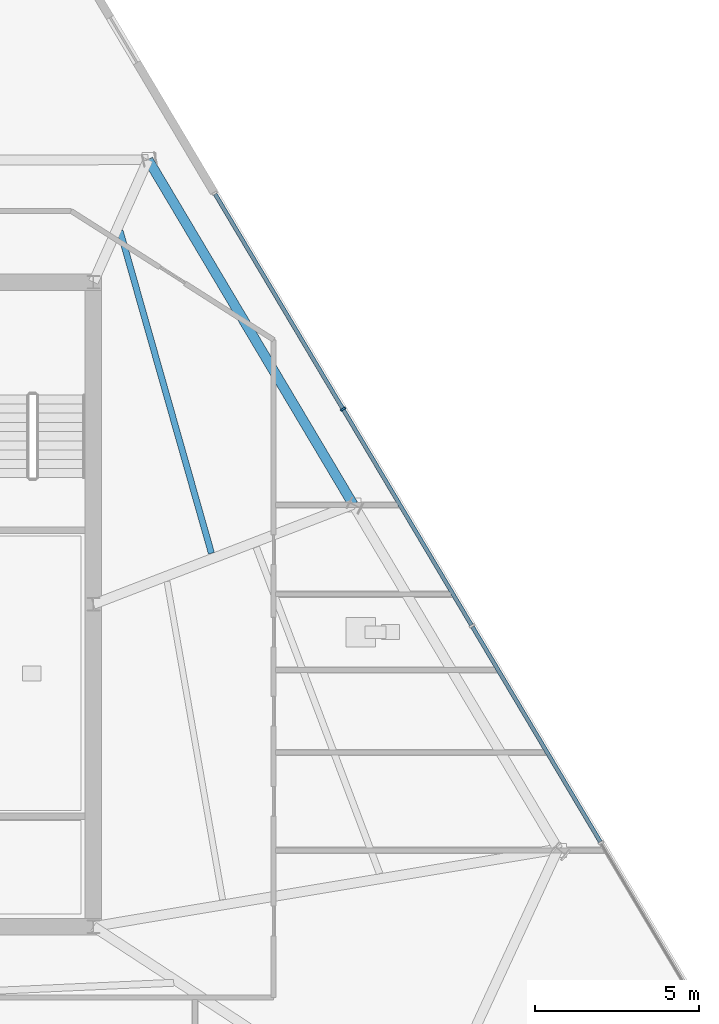
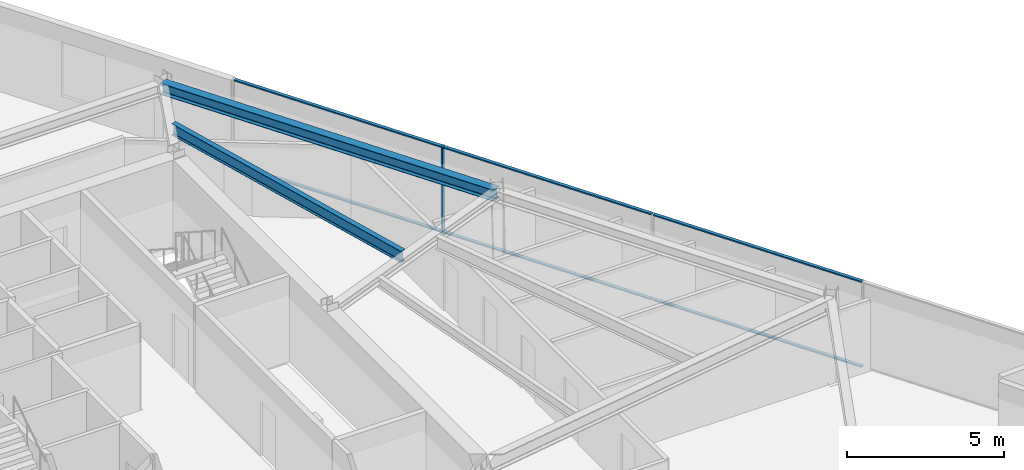
# One storey, part 6 of 16: 7 members, 2 beams, 1 element without a shape of its own.
"""IFC4 building model written with IfcOpenShell, lengths in metres."""

from ifc_helpers import new_model, si_unit, direction, frame, origin, origin_2d, place, context, subcontext, project, spatial, rectangle, i_section, extrude, material, material_profile, profile_set, type_object, element, aggregate, save


model = new_model("IFC4")

# Units and contexts
model_context = context("Model", 3, precision=1e-05, world=origin(), true_north=direction((0.0, 1.0)))
body_context = subcontext(model_context, "Body", "Model", "MODEL_VIEW")
ifc_project = project(units=[si_unit("LENGTHUNIT", "METRE"), si_unit("AREAUNIT", "SQUARE_METRE"), si_unit("VOLUMEUNIT", "CUBIC_METRE"), si_unit("PLANEANGLEUNIT", "RADIAN"), si_unit("MASSUNIT", "GRAM", prefix="KILO")], contexts=[model_context])

# Site, building, storey
site_placement = place(None, origin())
site = spatial("IfcSite", under=ifc_project, at=site_placement, CompositionType="ELEMENT")
building_placement = place(site_placement, origin())
building = spatial("IfcBuilding", under=site, at=building_placement, Name="Savorim Split Tower", CompositionType="ELEMENT")
storey_placement = place(building_placement, frame((0.0, 0.0, 156.60009765625)))
storey = spatial("IfcBuildingStorey", under=building, at=storey_placement, Name="L41", CompositionType="ELEMENT", Elevation=156.60009765625)

# Beams
ifc_material_1 = material(Name="Steel S355", Category="steel")
ifc_material_profile_1 = material_profile(ifc_material_1, i_section(OverallWidth=0.18994140625, OverallDepth=0.449951171875, WebThickness=0.009521484375, FlangeThickness=0.0146484375, FilletRadius=0.02099609375, at=origin_2d()), Name="IPE 450")
ifc_profile_set_1 = profile_set([ifc_material_profile_1], Name="Steel S355")
beam_type_1 = type_object("IfcBeamType", Name="BM-JST-IPE450", PredefinedType="JOIST", material=ifc_profile_set_1)
beam_1_placement = place(storey_placement, frame((11.2890625, 1.951904296875, 3.125), z_axis=(-0.272755934004, 0.962083260672, 0.0), x_axis=(-0.962083260672, -0.272755934004, 0.0)))
element("IfcBeam", 1, at=beam_1_placement, inside=storey, type_object=beam_type_1, Name="L41 Secondary Floor Joist JS-07", PredefinedType="JOIST", context=body_context, shape_type="SweptSolid", body=[
    extrude(i_section(OverallWidth=0.18994140625, OverallDepth=0.449951171875, WebThickness=0.009521484375, FlangeThickness=0.0146484375, FilletRadius=0.02099609375, at=origin_2d()), origin(), (0.0, 0.0, 1.0), 10.1923828125),
])
ifc_material_profile_2 = material_profile(ifc_material_1, i_section(OverallWidth=0.300048828125, OverallDepth=0.43994140625, WebThickness=0.011474609375, FlangeThickness=0.02099609375, FilletRadius=0.027099609375, at=origin_2d()), Name="HEA 450")
ifc_profile_set_2 = profile_set([ifc_material_profile_2], Name="Steel S355")
beam_type_2 = type_object("IfcBeamType", Name="BM-SPN-HEA450", PredefinedType="SPANDREL", material=ifc_profile_set_2)
beam_2_placement = place(storey_placement, frame((15.596923828125, 3.43896484375, 3.1298828125), z_axis=(-0.511085386535, 0.859529945767, 0.0), x_axis=(-0.859529945767, -0.511085386535, 0.0)))
element("IfcBeam", 2, at=beam_2_placement, inside=storey, type_object=beam_type_2, Name="L41 Perimeter Spandrel Beam 6", PredefinedType="SPANDREL", context=body_context, shape_type="SweptSolid", body=[
    extrude(i_section(OverallWidth=0.300048828125, OverallDepth=0.43994140625, WebThickness=0.011474609375, FlangeThickness=0.02099609375, FilletRadius=0.027099609375, at=origin_2d()), origin(), (0.0, 0.0, 1.0), 12.195068359375),
])

# Curtain wall, members
ifc_material_2 = material(Name="Dark Ceramic-Fritted Insulated Glass", Category="glass")
curtain_wall_type = type_object("IfcCurtainWallType", Name="CW-TWR-FRIT-B", PredefinedType="NOTDEFINED", material=ifc_material_2)
curtain_wall_placement = place(storey_placement, origin())
curtain_wall = element("IfcCurtainWall", 3, at=curtain_wall_placement, inside=storey, type_object=curtain_wall_type, Name="L41 Curtain Wall CW-L41-EAST", PredefinedType="NOTDEFINED")
ifc_material_3 = material(Name="Charcoal Anodised Aluminium", Category="aluminium")
ifc_material_profile_3 = material_profile(ifc_material_3, rectangle(XDim=0.159912109375, YDim=0.06005859375, at=origin_2d()), Name="ALU-M 160x60")
ifc_profile_set_3 = profile_set([ifc_material_profile_3], Name="Charcoal Anodised Aluminium")
member_type_1 = type_object("IfcMemberType", Name="CWM-160x60", PredefinedType="MULLION", material=ifc_profile_set_3)
member_1_placement = place(storey_placement, frame((15.2900390625, 6.334228515625, 0.0), z_axis=(0.0, 0.0, 1.0), x_axis=(-0.859526328423, -0.511091470039, 0.0)))
member_1 = element("IfcMember", 4, at=member_1_placement, type_object=member_type_1, Name="CW-03 mullion 4", PredefinedType="MULLION", context=body_context, shape_type="SweptSolid", body=[
    extrude(rectangle(XDim=0.159912109375, YDim=0.06005859375, at=origin_2d()), origin(), (0.0, 0.0, 1.0), 3.349853515625),
])
ifc_material_profile_4 = material_profile(ifc_material_3, rectangle(XDim=0.1201171875, YDim=0.050048828125, at=origin_2d()), Name="ALU-T 120x50")
ifc_profile_set_4 = profile_set([ifc_material_profile_4], Name="Charcoal Anodised Aluminium")
member_type_2 = type_object("IfcMemberType", Name="CWT-120x50", PredefinedType="USERDEFINED", material=ifc_profile_set_4)
member_2_placement = place(storey_placement, frame((23.114013671875, -6.82373046875, 0.02490234375), z_axis=(-0.511085002819, 0.859530173929, 0.0), x_axis=(-0.859530173929, -0.511085002819, 0.0)))
member_2 = element("IfcMember", 5, at=member_2_placement, type_object=member_type_2, Name="CW-03 transom 2.1", ObjectType="TRANSOM", PredefinedType="USERDEFINED", context=body_context, shape_type="SweptSolid", body=[
    extrude(rectangle(XDim=0.1201171875, YDim=0.050048828125, at=origin_2d()), origin(), (0.0, 0.0, 1.0), 7.609130859375),
])
member_3_placement = place(storey_placement, frame((23.114013671875, -6.82373046875, 3.324951171875), z_axis=(-0.511085002819, 0.859530173929, 0.0), x_axis=(-0.859530173929, -0.511085002819, 0.0)))
member_3 = element("IfcMember", 6, at=member_3_placement, type_object=member_type_2, Name="CW-03 transom 2.2", ObjectType="TRANSOM", PredefinedType="USERDEFINED", context=body_context, shape_type="SweptSolid", body=[
    extrude(rectangle(XDim=0.1201171875, YDim=0.050048828125, at=origin_2d()), origin(), (0.0, 0.0, 1.0), 7.609130859375),
])
member_4_placement = place(storey_placement, frame((19.1943359375, -0.23193359375, 0.02490234375), z_axis=(-0.51107090834, 0.859538554487, 0.0), x_axis=(-0.859538554487, -0.51107090834, 0.0)))
member_4 = element("IfcMember", 7, at=member_4_placement, type_object=member_type_2, Name="CW-03 transom 3.1", ObjectType="TRANSOM", PredefinedType="USERDEFINED", context=body_context, shape_type="SweptSolid", body=[
    extrude(rectangle(XDim=0.1201171875, YDim=0.050048828125, at=origin_2d()), origin(), (0.0, 0.0, 1.0), 7.609375),
])
member_5_placement = place(storey_placement, frame((19.1943359375, -0.23193359375, 3.324951171875), z_axis=(-0.51107090834, 0.859538554487, 0.0), x_axis=(-0.859538554487, -0.51107090834, 0.0)))
member_5 = element("IfcMember", 8, at=member_5_placement, type_object=member_type_2, Name="CW-03 transom 3.2", ObjectType="TRANSOM", PredefinedType="USERDEFINED", context=body_context, shape_type="SweptSolid", body=[
    extrude(rectangle(XDim=0.1201171875, YDim=0.050048828125, at=origin_2d()), origin(), (0.0, 0.0, 1.0), 7.609375),
])
member_6_placement = place(storey_placement, frame((15.274658203125, 6.360107421875, 0.02490234375), z_axis=(-0.511085684195, 0.859529768775, 0.0), x_axis=(-0.859529768775, -0.511085684195, 0.0)))
member_6 = element("IfcMember", 9, at=member_6_placement, type_object=member_type_2, Name="CW-03 transom 4.1", ObjectType="TRANSOM", PredefinedType="USERDEFINED", context=body_context, shape_type="SweptSolid", body=[
    extrude(rectangle(XDim=0.1201171875, YDim=0.050048828125, at=origin_2d()), origin(), (0.0, 0.0, 1.0), 7.5791015625),
])
member_7_placement = place(storey_placement, frame((15.274658203125, 6.360107421875, 3.324951171875), z_axis=(-0.511085684195, 0.859529768775, 0.0), x_axis=(-0.859529768775, -0.511085684195, 0.0)))
member_7 = element("IfcMember", 10, at=member_7_placement, type_object=member_type_2, Name="CW-03 transom 4.2", ObjectType="TRANSOM", PredefinedType="USERDEFINED", context=body_context, shape_type="SweptSolid", body=[
    extrude(rectangle(XDim=0.1201171875, YDim=0.050048828125, at=origin_2d()), origin(), (0.0, 0.0, 1.0), 7.5791015625),
])
aggregate(curtain_wall, [member_1, member_2, member_3, member_4, member_5, member_6, member_7])

save(model, "model.ifc")
